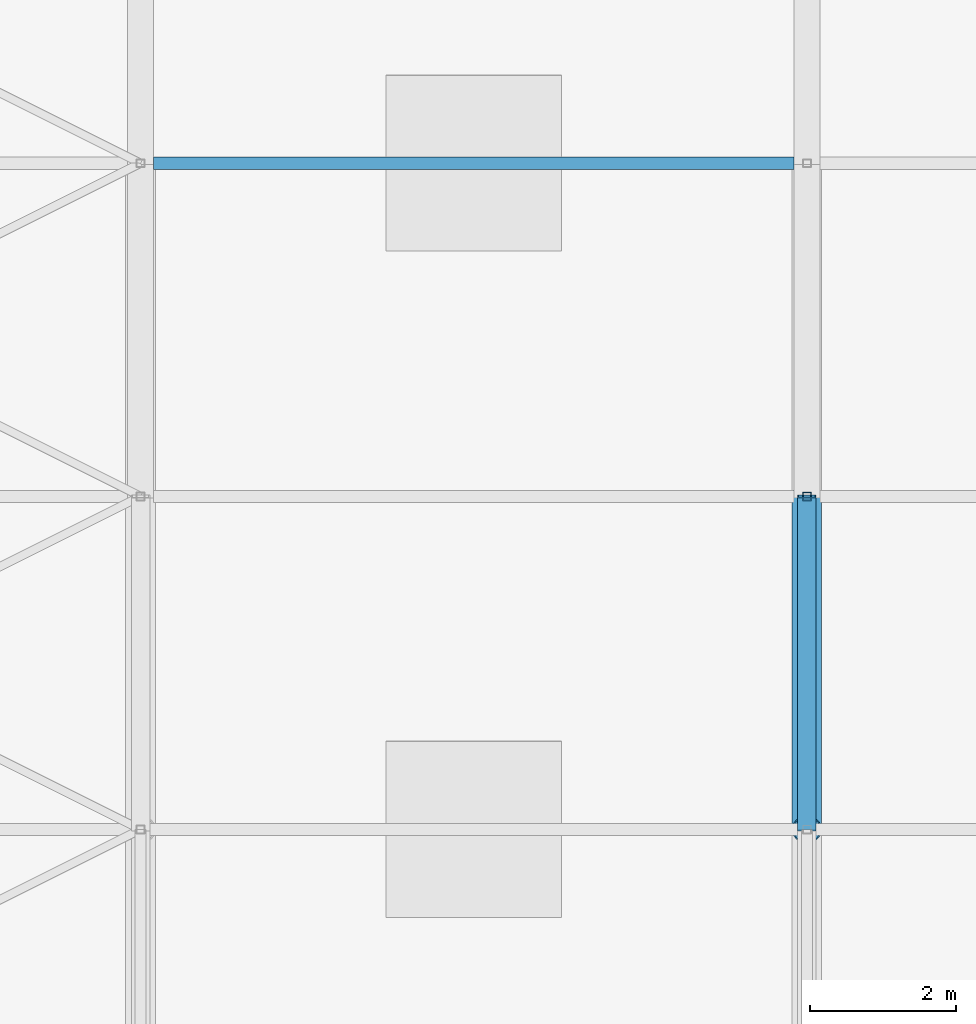
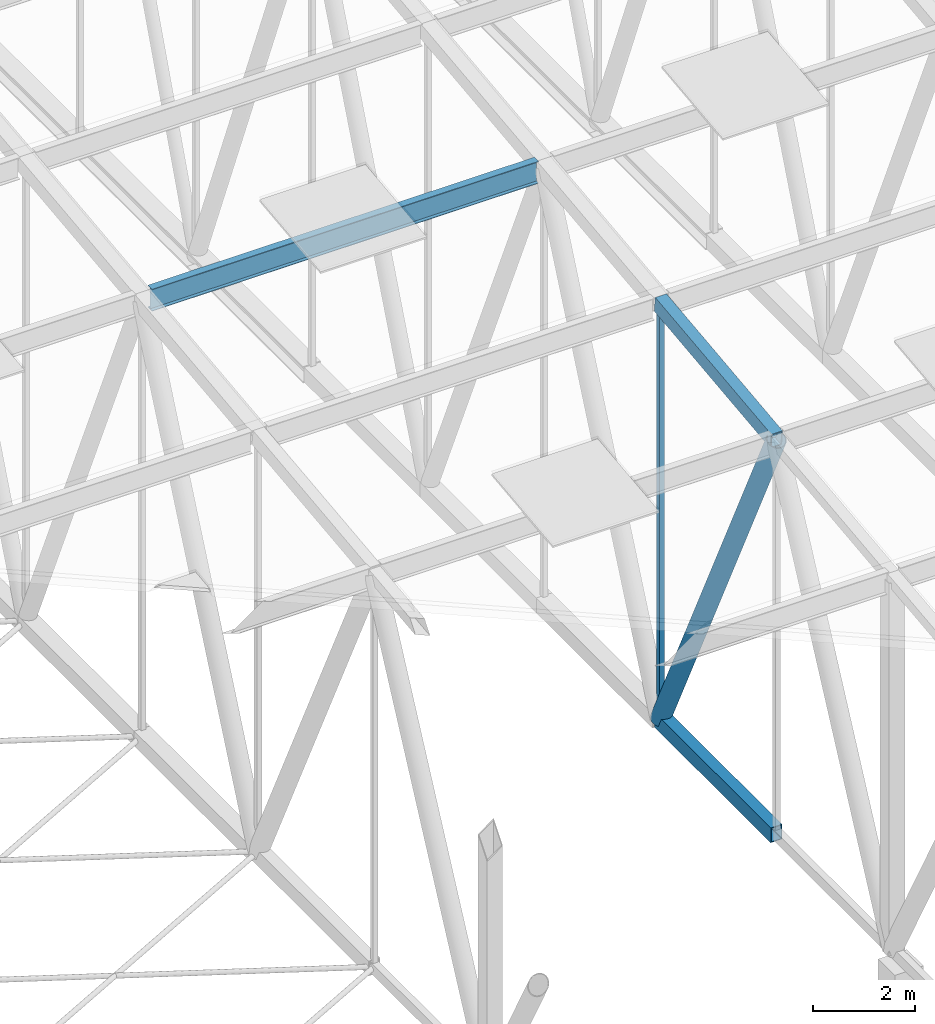
# One storey, part 104 of 500: 5 members.
"""IFC4 building model written with IfcOpenShell, lengths in metres."""

from ifc_helpers import new_model, si_unit, direction, frame, origin, origin_2d, place, context, subcontext, project, spatial, hollow_rectangle, hollow_circle, i_section, extrude, material, material_profile, profile_set, type_object, element, save


model = new_model("IFC4")

# Units and contexts
model_context = context("Model", 3, precision=1e-05, world=origin(), true_north=direction((0.0, 1.0)))
body_context = subcontext(model_context, "Body", "Model", "MODEL_VIEW")
ifc_project = project(units=[si_unit("LENGTHUNIT", "METRE"), si_unit("AREAUNIT", "SQUARE_METRE"), si_unit("VOLUMEUNIT", "CUBIC_METRE"), si_unit("PLANEANGLEUNIT", "RADIAN"), si_unit("MASSUNIT", "GRAM", prefix="KILO")], contexts=[model_context])

# Site, building, storey
site_placement = place(None, origin())
site = spatial("IfcSite", under=ifc_project, at=site_placement, CompositionType="ELEMENT")
building_placement = place(site_placement, origin())
building = spatial("IfcBuilding", under=site, at=building_placement, Name="Shirokan Park Arena", CompositionType="ELEMENT")
storey_placement = place(building_placement, frame((0.0, 0.0, 29.1201171875)))
storey = spatial("IfcBuildingStorey", under=building, at=storey_placement, Name="L06", CompositionType="ELEMENT", Elevation=29.1201171875)

# Members
ifc_material_1 = material(Name="Steel ASTM A500 Grade C", Category="steel")
ifc_material_profile_1 = material_profile(ifc_material_1, hollow_rectangle(XDim=0.25390625, YDim=0.35595703125, WallThickness=0.015869140625, at=origin_2d()), Name="HSS355.6X254X15.9")
ifc_profile_set_1 = profile_set([ifc_material_profile_1], Name="Steel ASTM A500 Grade C")
member_type_1 = type_object("IfcMemberType", Name="Bottom chord HSS355.6X254X15.9", PredefinedType="CHORD", material=ifc_profile_set_1)
member_1_placement = place(storey_placement, frame((63.699951171875, 13.64990234375, 4.677001953125), z_axis=(0.0, 1.0, 0.0), x_axis=(-1.0, 0.0, 0.0)))
element("IfcMember", 1, at=member_1_placement, inside=storey, type_object=member_type_1, Name="Truss T08 bottom chord 6", PredefinedType="CHORD", context=body_context, shape_type="SweptSolid", body=[
    extrude(hollow_rectangle(XDim=0.25390625, YDim=0.35595703125, WallThickness=0.015869140625, at=origin_2d()), origin(), (0.0, 0.0, 1.0), 4.550048828125),
])
ifc_material_2 = material(Name="Steel ASTM A992", Category="steel")
ifc_material_profile_2 = material_profile(ifc_material_2, i_section(OverallWidth=0.166015625, OverallDepth=0.528076171875, WebThickness=0.009765625, FlangeThickness=0.013671875, at=origin_2d()), Name="W530X74")
ifc_profile_set_2 = profile_set([ifc_material_profile_2], Name="Steel ASTM A992")
member_type_2 = type_object("IfcMemberType", Name="Purlin W530X74", PredefinedType="PURLIN", material=ifc_profile_set_2)
member_2_placement = place(storey_placement, frame((54.778076171875, 22.75, 15.0859375), z_axis=(1.0, 0.0, 0.0), x_axis=(0.0, 1.0, 0.0)))
element("IfcMember", 2, at=member_2_placement, inside=storey, type_object=member_type_2, Name="Purlin 8 bay 7", PredefinedType="PURLIN", context=body_context, shape_type="SweptSolid", body=[
    extrude(i_section(OverallWidth=0.166015625, OverallDepth=0.528076171875, WebThickness=0.009765625, FlangeThickness=0.013671875, at=origin_2d()), origin(), (0.0, 0.0, 1.0), 8.743896484375),
])
ifc_material_profile_3 = material_profile(ifc_material_1, hollow_rectangle(XDim=0.25390625, YDim=0.35595703125, WallThickness=0.015869140625, at=origin_2d()), Name="HSS355.6X254X15.9")
ifc_profile_set_3 = profile_set([ifc_material_profile_3], Name="Steel ASTM A500 Grade C")
member_type_3 = type_object("IfcMemberType", Name="Top chord HSS355.6X254X15.9", PredefinedType="CHORD", material=ifc_profile_set_3)
member_3_placement = place(storey_placement, frame((63.699951171875, 13.64990234375, 14.101318359375), z_axis=(0.0, 0.993532328996, 0.113549598152), x_axis=(-1.0, 0.0, 0.0)))
element("IfcMember", 3, at=member_3_placement, inside=storey, type_object=member_type_3, Name="Truss T08 top chord 6", PredefinedType="CHORD", context=body_context, shape_type="SweptSolid", body=[
    extrude(hollow_rectangle(XDim=0.25390625, YDim=0.35595703125, WallThickness=0.015869140625, at=origin_2d()), origin(), (0.0, 0.0, 1.0), 4.57958984375),
])
ifc_material_profile_4 = material_profile(ifc_material_1, hollow_circle(Radius=0.202880859375, WallThickness=0.015869140625, at=origin_2d()), Name="HSS406.4X15.9")
ifc_profile_set_4 = profile_set([ifc_material_profile_4], Name="Steel ASTM A500 Grade C")
member_type_4 = type_object("IfcMemberType", Name="Truss diagonal HSS406.4X15.9", PredefinedType="BRACE", material=ifc_profile_set_4)
member_4_placement = place(storey_placement, frame((63.699951171875, 13.64990234375, 14.101318359375), z_axis=(0.0, 0.434778423415, -0.900537463148), x_axis=(-1.0, 0.0, 0.0)))
element("IfcMember", 4, at=member_4_placement, inside=storey, type_object=member_type_4, Name="Truss T08 diagonal 6", PredefinedType="BRACE", context=body_context, shape_type="SweptSolid", body=[
    extrude(hollow_circle(Radius=0.202880859375, WallThickness=0.015869140625, at=origin_2d()), origin(), (0.0, 0.0, 1.0), 10.46533203125),
])
ifc_material_profile_5 = material_profile(ifc_material_1, hollow_rectangle(XDim=0.114013671875, YDim=0.114013671875, WallThickness=0.00634765625, at=origin_2d()), Name="HSS114.3X114.3X6.4")
ifc_profile_set_5 = profile_set([ifc_material_profile_5], Name="Steel ASTM A500 Grade C")
member_type_5 = type_object("IfcMemberType", Name="Truss post HSS114.3X114.3X6.4", PredefinedType="POST", material=ifc_profile_set_5)
member_5_placement = place(storey_placement, frame((63.699951171875, 18.199951171875, 4.677001953125), z_axis=(0.0, 0.0, 1.0), x_axis=(1.0, 0.0, 0.0)))
element("IfcMember", 5, at=member_5_placement, inside=storey, type_object=member_type_5, Name="Truss T08 post 7", PredefinedType="POST", context=body_context, shape_type="SweptSolid", body=[
    extrude(hollow_rectangle(XDim=0.114013671875, YDim=0.114013671875, WallThickness=0.00634765625, at=origin_2d()), origin(), (0.0, 0.0, 1.0), 9.9443359375),
])

save(model, "model.ifc")
